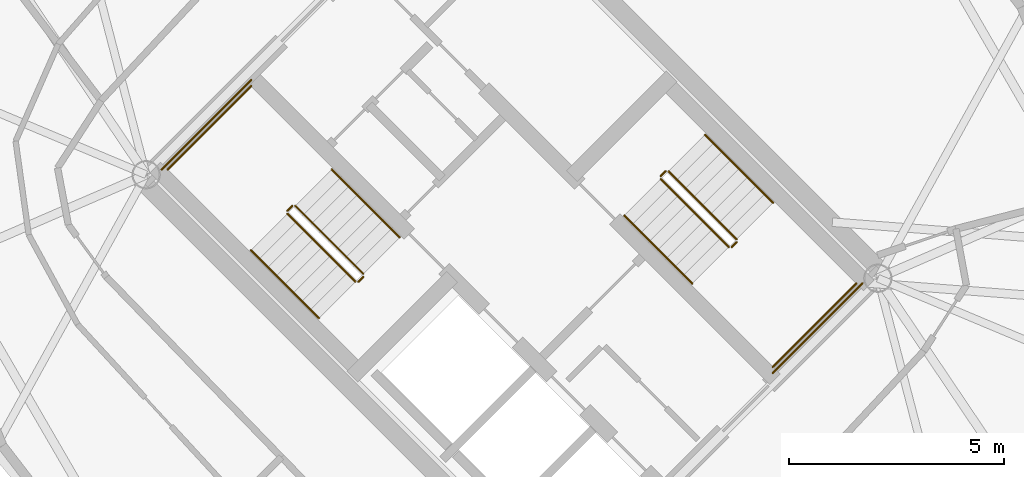
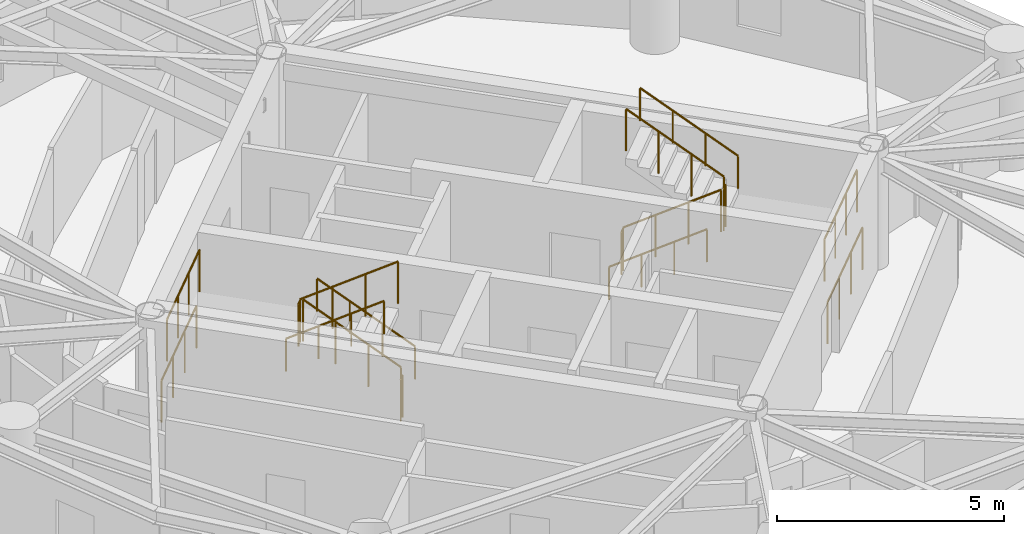
# One storey, part 16 of 17: 16 railings.
"""IFC4 building model written with IfcOpenShell, lengths in metres."""

import ifcopenshell
import ifcopenshell.guid

model = None  # the IFC model being written
_history = None  # IfcOwnerHistory: only IFC2X3 demands one
_inside = {}  # id of a spatial element -> (the spatial element, [elements in it])
_under = {}  # id of a project, library or spatial element -> (it, [spatial elements below it])
_declared = {}  # id of a project -> (the project, [libraries it declares])
_typed = {}  # id of a type object -> (the type object, [elements of that type])
_made_of = {}  # id of a material, layer set ... -> (it, [elements and type objects made of it])


def new_model(schema):
    """Start an empty IFC model of exactly this schema.

    Asked for "IFC4X3", IfcOpenShell would pick the latest addendum, in which some entities
    have other attributes; the version numbers below select the first issue.
    IFC2X3 requires an IfcOwnerHistory on every rooted entity: one is made here for all.
    """
    global model, _history
    if schema == "IFC4X3":
        model = ifcopenshell.file(schema_version=(4, 3, 0, 0))
    else:
        model = ifcopenshell.file(schema=schema)
    _inside.clear()
    _under.clear()
    _declared.clear()
    _typed.clear()
    _made_of.clear()
    _history = None
    if model.schema == "IFC2X3":
        org = make("IfcOrganization", Name="unknown")
        user = make(
            "IfcPersonAndOrganization",
            ThePerson=make("IfcPerson", FamilyName="unknown"),
            TheOrganization=org,
        )
        app = make(
            "IfcApplication",
            ApplicationDeveloper=org,
            Version="unknown",
            ApplicationFullName="unknown",
            ApplicationIdentifier="unknown",
        )
        _history = make(
            "IfcOwnerHistory",
            OwningUser=user,
            OwningApplication=app,
            ChangeAction="ADDED",
            CreationDate=0,
        )
    return model


def make(cls, **values):
    """One entity of the class cls with the attributes given. An attribute that is None is left unset."""
    return model.create_entity(
        cls, **{name: value for name, value in values.items() if value is not None}
    )


def rooted(cls, **values):
    """An entity with a GlobalId (a new one), such as an element, a storey or a relation."""
    return make(cls, GlobalId=ifcopenshell.guid.new(), OwnerHistory=_history, **values)


def si_unit(unit_type, name, prefix=None):
    """IfcSIUnit, for example si_unit("LENGTHUNIT", "METRE", prefix="MILLI")."""
    return make("IfcSIUnit", UnitType=unit_type, Prefix=prefix, Name=name)


def assignment(units):
    """IfcUnitAssignment: the units of a project."""
    return None if units is None else make("IfcUnitAssignment", Units=units)


def point(xyz):
    """IfcCartesianPoint."""
    return None if xyz is None else make("IfcCartesianPoint", Coordinates=xyz)


def direction(xyz):
    """IfcDirection."""
    return None if xyz is None else make("IfcDirection", DirectionRatios=xyz)


def frame(location, z_axis=None, x_axis=None):
    """IfcAxis2Placement3D, a coordinate frame: its origin and axes. An axis left out is left unset."""
    return make(
        "IfcAxis2Placement3D",
        Location=point(location),
        Axis=direction(z_axis),
        RefDirection=direction(x_axis),
    )


def frame_2d(location, x_axis=None):
    """IfcAxis2Placement2D, a coordinate frame in the plane: its origin and x axis."""
    return make(
        "IfcAxis2Placement2D", Location=point(location), RefDirection=direction(x_axis)
    )


def origin():
    """The frame at (0, 0, 0) with its axes left unset."""
    return frame((0.0, 0.0, 0.0))


def origin_2d():
    """The frame at (0, 0) in the plane with its x axis left unset."""
    return frame_2d((0.0, 0.0))


def place(relative_to, where):
    """IfcLocalPlacement: puts the frame where relative to a parent placement (None: the world)."""
    return make(
        "IfcLocalPlacement", PlacementRelTo=relative_to, RelativePlacement=where
    )


def context(
    kind, dimensions, precision=None, world=None, true_north=None, identifier=None
):
    """IfcGeometricRepresentationContext, for example the 3D "Model" context."""
    return make(
        "IfcGeometricRepresentationContext",
        ContextIdentifier=identifier,
        ContextType=kind,
        CoordinateSpaceDimension=dimensions,
        Precision=precision,
        WorldCoordinateSystem=world,
        TrueNorth=true_north,
    )


def subcontext(parent, identifier, kind, view, scale=None):
    """IfcGeometricRepresentationSubContext, for example "Body" below "Model"."""
    return make(
        "IfcGeometricRepresentationSubContext",
        ContextIdentifier=identifier,
        ContextType=kind,
        ParentContext=parent,
        TargetScale=scale,
        TargetView=view,
    )


def project(units=None, contexts=None):
    """IfcProject with its units and contexts."""
    return rooted(
        "IfcProject",
        Name="project",
        RepresentationContexts=contexts,
        UnitsInContext=assignment(units),
    )


def spatial(cls, under=None, at=None, **own):
    """A site, building, storey or space (cls), placed at a placement, below another one or the project."""
    s = rooted(cls, ObjectPlacement=at, **own)
    if under is not None:
        _under.setdefault(under.id(), (under, []))[1].append(s)
    return s


def profile(cls, at=None, kind="AREA", **sizes):
    """A parametric profile (cls). Its sizes go by their IFC names, for example OverallWidth=200.0."""
    return make(cls, ProfileType=kind, Position=at, **sizes)


def circle(**sizes):
    """IfcCircleProfileDef."""
    return profile("IfcCircleProfileDef", **sizes)


def extrude(swept, where, along, depth):
    """IfcExtrudedAreaSolid: the profile swept, set in the frame where, extruded along a direction by depth."""
    return make(
        "IfcExtrudedAreaSolid",
        SweptArea=swept,
        Position=where,
        ExtrudedDirection=direction(along),
        Depth=depth,
    )


def shape(context_of_items, identifier, shape_type, items):
    """IfcShapeRepresentation: the items that make up one representation, for example the "Body"."""
    return make(
        "IfcShapeRepresentation",
        ContextOfItems=context_of_items,
        RepresentationIdentifier=identifier,
        RepresentationType=shape_type,
        Items=items,
    )


def material(Name=None, Category=None):
    """IfcMaterial."""
    return make("IfcMaterial", Name=Name, Category=Category)


def made_of(thing, what):
    """Note that an element or type object is made of a material, layer set ...; save() writes the relation."""
    if what is not None:
        _made_of.setdefault(what.id(), (what, []))[1].append(thing)
    return thing


def type_object(cls, material=None, **own):
    """A type object (cls), such as IfcWallType, which elements share."""
    return made_of(rooted(cls, **own), material)


def element(
    cls,
    number,
    at=None,
    inside=None,
    cuts=None,
    type_object=None,
    material=None,
    context=None,
    identifier="Body",
    shape_type=None,
    held_by="IfcProductDefinitionShape",
    body=None,
    shapes=None,
    **own,
):
    """One element of the class cls, such as IfcWall. Its Tag is "e" and its number.

    at: its placement. inside: the storey or other place that contains it. cuts: it is an
    opening in that element (IfcRelVoidsElement). A single representation is given by context,
    identifier, shape_type and body (its items); several are given by shapes. held_by: the class
    of the entity that holds the representations. save() writes the other relations.
    """
    e = rooted(cls, Tag="e%d" % number, ObjectPlacement=at, **own)
    if body is not None:
        shapes = [shape(context, identifier, shape_type, body)]
    if shapes is not None:
        e.Representation = make(held_by, Representations=shapes)
    if inside is not None:
        _inside.setdefault(inside.id(), (inside, []))[1].append(e)
    if cuts is not None:
        rooted(
            "IfcRelVoidsElement", RelatingBuildingElement=cuts, RelatedOpeningElement=e
        )
    if type_object is not None:
        _typed.setdefault(type_object.id(), (type_object, []))[1].append(e)
    return made_of(e, material)


def aggregate(whole, parts):
    """IfcRelAggregates: a whole, such as a stair, and the parts it consists of."""
    return rooted("IfcRelAggregates", RelatingObject=whole, RelatedObjects=parts)


def save(model, path):
    """Write the relations noted so far, then the file.

    IfcRelAggregates (storeys below a building ...), IfcRelContainedInSpatialStructure (elements
    in a storey), IfcRelDefinesByType, IfcRelAssociatesMaterial and IfcRelDeclares: one each for
    every whole, place, type object, material and project.
    """
    for whole, parts in _under.values():
        aggregate(whole, parts)
    for where, things in _inside.values():
        rooted(
            "IfcRelContainedInSpatialStructure",
            RelatedElements=things,
            RelatingStructure=where,
        )
    for kind, things in _typed.values():
        rooted("IfcRelDefinesByType", RelatedObjects=things, RelatingType=kind)
    for what, things in _made_of.values():
        rooted("IfcRelAssociatesMaterial", RelatedObjects=things, RelatingMaterial=what)
    for by, libraries in _declared.values():
        rooted("IfcRelDeclares", RelatingContext=by, RelatedDefinitions=libraries)
    model.write(path)


model = new_model("IFC4")

# Units and contexts
model_context = context("Model", 3, precision=1e-05, world=origin(), true_north=direction((0.0, 1.0)))
body_context = subcontext(model_context, "Body", "Model", "MODEL_VIEW")
ifc_project = project(units=[si_unit("LENGTHUNIT", "METRE"), si_unit("AREAUNIT", "SQUARE_METRE"), si_unit("VOLUMEUNIT", "CUBIC_METRE"), si_unit("PLANEANGLEUNIT", "RADIAN"), si_unit("MASSUNIT", "GRAM", prefix="KILO")], contexts=[model_context])

# Site, building, storey
site_placement = place(None, origin())
site = spatial("IfcSite", under=ifc_project, at=site_placement, CompositionType="ELEMENT")
building_placement = place(site_placement, origin())
building = spatial("IfcBuilding", under=site, at=building_placement, Name="Cununo Teusaquillo Station Towers", CompositionType="ELEMENT")
storey_placement = place(building_placement, frame((0.0, 0.0, 222.85009765625)))
storey = spatial("IfcBuildingStorey", under=building, at=storey_placement, Name="L71", CompositionType="ELEMENT", Elevation=222.85009765625)

# Railings
ifc_material_1 = material(Name="Steel EN 10025-2 S355J2", Category="steel")
railing_type_1 = type_object("IfcRailingType", Name="RL-INT-GUARD", PredefinedType="GUARDRAIL", material=ifc_material_1)
railing_1_placement = place(storey_placement, frame((54.03515625, 23.39697265625, 0.177734375)))
element("IfcRailing", 1, at=railing_1_placement, inside=storey, type_object=railing_type_1, Name="L71 ST-T2-1 stair guard 1", PredefinedType="GUARDRAIL", context=body_context, shape_type="SweptSolid", body=[
    extrude(circle(Radius=0.02392578125, at=origin_2d()), frame((0.0, 0.0, 1.1259765625), z_axis=(-0.596941659029, 0.596941659029, 0.53602361089), x_axis=(-0.707106781187, -0.707106781187, 0.0)), (0.0, 0.0, 1.0), 2.653076171875),
    extrude(circle(Radius=0.02099609375, at=origin_2d()), origin(), (0.0, 0.0, 1.0), 1.101806640625),
    extrude(circle(Radius=0.02099609375, at=origin_2d()), frame((-0.52783203125, 0.52783203125, 0.47412109375)), (0.0, 0.0, 1.0), 1.101806640625),
    extrude(circle(Radius=0.02099609375, at=origin_2d()), frame((-1.055908203125, 1.055908203125, 0.947998046875)), (0.0, 0.0, 1.0), 1.101806640625),
    extrude(circle(Radius=0.02099609375, at=origin_2d()), frame((-1.583740234375, 1.583740234375, 1.422119140625)), (0.0, 0.0, 1.0), 1.101806640625),
])
railing_2_placement = place(storey_placement, frame((52.380615234375, 24.980712890625, 1.599853515625)))
element("IfcRailing", 2, at=railing_2_placement, inside=storey, type_object=railing_type_1, Name="L71 ST-T2-1 stair guard 2", PredefinedType="GUARDRAIL", context=body_context, shape_type="SweptSolid", body=[
    extrude(circle(Radius=0.02392578125, at=origin_2d()), frame((0.0, 0.0, 1.1259765625), z_axis=(-0.7078691598, -0.706343579714, 0.0), x_axis=(0.706343579714, -0.7078691598, 0.0)), (0.0, 0.0, 1.0), 0.159912109375),
    extrude(circle(Radius=0.02099609375, at=origin_2d()), origin(), (0.0, 0.0, 1.0), 1.101806640625),
    extrude(circle(Radius=0.02099609375, at=origin_2d()), frame((-0.11328125, -0.113037109375, 0.0)), (0.0, 0.0, 1.0), 1.101806640625),
])
railing_3_placement = place(storey_placement, frame((51.426025390625, 27.77392578125, 1.599853515625)))
element("IfcRailing", 3, at=railing_3_placement, inside=storey, type_object=railing_type_1, Name="L71 ST-T2-1 stair guard 3", PredefinedType="GUARDRAIL", context=body_context, shape_type="SweptSolid", body=[
    extrude(circle(Radius=0.02392578125, at=origin_2d()), frame((0.0, 0.0, 1.1259765625), z_axis=(-0.707106781187, -0.707106781187, 0.0), x_axis=(0.707106781187, -0.707106781187, 0.0)), (0.0, 0.0, 1.0), 2.760009765625),
    extrude(circle(Radius=0.02099609375, at=origin_2d()), origin(), (0.0, 0.0, 1.0), 1.101806640625),
    extrude(circle(Radius=0.02099609375, at=origin_2d()), frame((-0.650634765625, -0.650634765625, 0.0)), (0.0, 0.0, 1.0), 1.101806640625),
    extrude(circle(Radius=0.02099609375, at=origin_2d()), frame((-1.301025390625, -1.301025390625, 0.0)), (0.0, 0.0, 1.0), 1.101806640625),
    extrude(circle(Radius=0.02099609375, at=origin_2d()), frame((-1.95166015625, -1.95166015625, 0.0)), (0.0, 0.0, 1.0), 1.101806640625),
])
railing_4_placement = place(storey_placement, frame((52.267333984375, 24.796875, 1.777587890625)))
element("IfcRailing", 4, at=railing_4_placement, inside=storey, type_object=railing_type_1, Name="L71 ST-T2-1 stair guard 4", PredefinedType="GUARDRAIL", context=body_context, shape_type="SweptSolid", body=[
    extrude(circle(Radius=0.02392578125, at=origin_2d()), frame((0.0, 0.0, 1.1259765625), z_axis=(0.596971440079, -0.596879428451, 0.536059742586), x_axis=(0.707052281454, 0.707161276719, 0.0)), (0.0, 0.0, 1.0), 2.6533203125),
    extrude(circle(Radius=0.02099609375, at=origin_2d()), origin(), (0.0, 0.0, 1.0), 1.101806640625),
    extrude(circle(Radius=0.02099609375, at=origin_2d()), frame((0.528076171875, -0.52783203125, 0.47412109375)), (0.0, 0.0, 1.0), 1.101806640625),
    extrude(circle(Radius=0.02099609375, at=origin_2d()), frame((1.055908203125, -1.055908203125, 0.9482421875)), (0.0, 0.0, 1.0), 1.101806640625),
    extrude(circle(Radius=0.02099609375, at=origin_2d()), frame((1.583984375, -1.583740234375, 1.42236328125)), (0.0, 0.0, 1.0), 1.101806640625),
])
railing_5_placement = place(storey_placement, frame((54.03515625, 23.326171875, 0.0)))
element("IfcRailing", 5, at=railing_5_placement, inside=storey, type_object=railing_type_1, Name="L71 ST-T2-1 stair guard 5", PredefinedType="GUARDRAIL", context=body_context, shape_type="SweptSolid", body=[
    extrude(circle(Radius=0.02392578125, at=origin_2d()), frame((0.0, 0.0, 1.1259765625), z_axis=(-0.707106781187, -0.707106781187, 0.0), x_axis=(0.707106781187, -0.707106781187, 0.0)), (0.0, 0.0, 1.0), 0.159912109375),
    extrude(circle(Radius=0.02099609375, at=origin_2d()), origin(), (0.0, 0.0, 1.0), 1.101806640625),
    extrude(circle(Radius=0.02099609375, at=origin_2d()), frame((-0.113037109375, -0.113037109375, 0.0)), (0.0, 0.0, 1.0), 1.101806640625),
])
railing_6_placement = place(storey_placement, frame((51.426025390625, 27.915283203125, 0.0)))
element("IfcRailing", 6, at=railing_6_placement, inside=storey, type_object=railing_type_1, Name="L71 ST-T2-1 stair guard 6", PredefinedType="GUARDRAIL", context=body_context, shape_type="SweptSolid", body=[
    extrude(circle(Radius=0.02392578125, at=origin_2d()), frame((0.0, 0.0, 1.1259765625), z_axis=(-0.707106781187, -0.707106781187, 0.0), x_axis=(0.707106781187, -0.707106781187, 0.0)), (0.0, 0.0, 1.0), 2.9599609375),
    extrude(circle(Radius=0.02099609375, at=origin_2d()), origin(), (0.0, 0.0, 1.0), 1.101806640625),
    extrude(circle(Radius=0.02099609375, at=origin_2d()), frame((-0.69775390625, -0.69775390625, 0.0)), (0.0, 0.0, 1.0), 1.101806640625),
    extrude(circle(Radius=0.02099609375, at=origin_2d()), frame((-1.395263671875, -1.395263671875, 0.0)), (0.0, 0.0, 1.0), 1.101806640625),
    extrude(circle(Radius=0.02099609375, at=origin_2d()), frame((-2.093017578125, -2.093017578125, 0.0)), (0.0, 0.0, 1.0), 1.101806640625),
])
railing_7_placement = place(storey_placement, frame((60.96484375, 25.60302734375, 0.177734375)))
element("IfcRailing", 7, at=railing_7_placement, inside=storey, type_object=railing_type_1, Name="L71 ST-T2-2 stair guard 1", PredefinedType="GUARDRAIL", context=body_context, shape_type="SweptSolid", body=[
    extrude(circle(Radius=0.02392578125, at=origin_2d()), frame((0.0, 0.0, 1.1259765625), z_axis=(0.596941659029, -0.596941659029, 0.53602361089), x_axis=(0.707106781187, 0.707106781187, 0.0)), (0.0, 0.0, 1.0), 2.653076171875),
    extrude(circle(Radius=0.02099609375, at=origin_2d()), origin(), (0.0, 0.0, 1.0), 1.101806640625),
    extrude(circle(Radius=0.02099609375, at=origin_2d()), frame((0.52783203125, -0.52783203125, 0.47412109375)), (0.0, 0.0, 1.0), 1.101806640625),
    extrude(circle(Radius=0.02099609375, at=origin_2d()), frame((1.055908203125, -1.055908203125, 0.947998046875)), (0.0, 0.0, 1.0), 1.101806640625),
    extrude(circle(Radius=0.02099609375, at=origin_2d()), frame((1.583740234375, -1.583740234375, 1.422119140625)), (0.0, 0.0, 1.0), 1.101806640625),
])
railing_8_placement = place(storey_placement, frame((62.619384765625, 24.019287109375, 1.599853515625)))
element("IfcRailing", 8, at=railing_8_placement, inside=storey, type_object=railing_type_1, Name="L71 ST-T2-2 stair guard 2", PredefinedType="GUARDRAIL", context=body_context, shape_type="SweptSolid", body=[
    extrude(circle(Radius=0.02392578125, at=origin_2d()), frame((0.0, 0.0, 1.1259765625), z_axis=(0.7078691598, 0.706343579714, 0.0), x_axis=(-0.706343579714, 0.7078691598, 0.0)), (0.0, 0.0, 1.0), 0.159912109375),
    extrude(circle(Radius=0.02099609375, at=origin_2d()), origin(), (0.0, 0.0, 1.0), 1.101806640625),
    extrude(circle(Radius=0.02099609375, at=origin_2d()), frame((0.11328125, 0.113037109375, 0.0)), (0.0, 0.0, 1.0), 1.101806640625),
])
railing_9_placement = place(storey_placement, frame((63.573974609375, 21.22607421875, 1.599853515625)))
element("IfcRailing", 9, at=railing_9_placement, inside=storey, type_object=railing_type_1, Name="L71 ST-T2-2 stair guard 3", PredefinedType="GUARDRAIL", context=body_context, shape_type="SweptSolid", body=[
    extrude(circle(Radius=0.02392578125, at=origin_2d()), frame((0.0, 0.0, 1.1259765625), z_axis=(0.707106781187, 0.707106781187, 0.0), x_axis=(-0.707106781187, 0.707106781187, 0.0)), (0.0, 0.0, 1.0), 2.760009765625),
    extrude(circle(Radius=0.02099609375, at=origin_2d()), origin(), (0.0, 0.0, 1.0), 1.101806640625),
    extrude(circle(Radius=0.02099609375, at=origin_2d()), frame((0.650634765625, 0.650634765625, 0.0)), (0.0, 0.0, 1.0), 1.101806640625),
    extrude(circle(Radius=0.02099609375, at=origin_2d()), frame((1.301025390625, 1.301025390625, 0.0)), (0.0, 0.0, 1.0), 1.101806640625),
    extrude(circle(Radius=0.02099609375, at=origin_2d()), frame((1.95166015625, 1.95166015625, 0.0)), (0.0, 0.0, 1.0), 1.101806640625),
])
railing_10_placement = place(storey_placement, frame((62.732666015625, 24.203125, 1.777587890625)))
element("IfcRailing", 10, at=railing_10_placement, inside=storey, type_object=railing_type_1, Name="L71 ST-T2-2 stair guard 4", PredefinedType="GUARDRAIL", context=body_context, shape_type="SweptSolid", body=[
    extrude(circle(Radius=0.02392578125, at=origin_2d()), frame((0.0, 0.0, 1.1259765625), z_axis=(-0.596971440079, 0.596879428451, 0.536059742586), x_axis=(-0.707052281454, -0.707161276719, 0.0)), (0.0, 0.0, 1.0), 2.6533203125),
    extrude(circle(Radius=0.02099609375, at=origin_2d()), origin(), (0.0, 0.0, 1.0), 1.101806640625),
    extrude(circle(Radius=0.02099609375, at=origin_2d()), frame((-0.528076171875, 0.52783203125, 0.47412109375)), (0.0, 0.0, 1.0), 1.101806640625),
    extrude(circle(Radius=0.02099609375, at=origin_2d()), frame((-1.055908203125, 1.055908203125, 0.9482421875)), (0.0, 0.0, 1.0), 1.101806640625),
    extrude(circle(Radius=0.02099609375, at=origin_2d()), frame((-1.583984375, 1.583740234375, 1.42236328125)), (0.0, 0.0, 1.0), 1.101806640625),
])
railing_11_placement = place(storey_placement, frame((60.96484375, 25.673828125, 0.0)))
element("IfcRailing", 11, at=railing_11_placement, inside=storey, type_object=railing_type_1, Name="L71 ST-T2-2 stair guard 5", PredefinedType="GUARDRAIL", context=body_context, shape_type="SweptSolid", body=[
    extrude(circle(Radius=0.02392578125, at=origin_2d()), frame((0.0, 0.0, 1.1259765625), z_axis=(0.707106781187, 0.707106781187, 0.0), x_axis=(-0.707106781187, 0.707106781187, 0.0)), (0.0, 0.0, 1.0), 0.159912109375),
    extrude(circle(Radius=0.02099609375, at=origin_2d()), origin(), (0.0, 0.0, 1.0), 1.101806640625),
    extrude(circle(Radius=0.02099609375, at=origin_2d()), frame((0.113037109375, 0.113037109375, 0.0)), (0.0, 0.0, 1.0), 1.101806640625),
])
railing_12_placement = place(storey_placement, frame((63.573974609375, 21.084716796875, 0.0)))
element("IfcRailing", 12, at=railing_12_placement, inside=storey, type_object=railing_type_1, Name="L71 ST-T2-2 stair guard 6", PredefinedType="GUARDRAIL", context=body_context, shape_type="SweptSolid", body=[
    extrude(circle(Radius=0.02392578125, at=origin_2d()), frame((0.0, 0.0, 1.1259765625), z_axis=(0.707106781187, 0.707106781187, 0.0), x_axis=(-0.707106781187, 0.707106781187, 0.0)), (0.0, 0.0, 1.0), 2.9599609375),
    extrude(circle(Radius=0.02099609375, at=origin_2d()), origin(), (0.0, 0.0, 1.0), 1.101806640625),
    extrude(circle(Radius=0.02099609375, at=origin_2d()), frame((0.69775390625, 0.69775390625, 0.0)), (0.0, 0.0, 1.0), 1.101806640625),
    extrude(circle(Radius=0.02099609375, at=origin_2d()), frame((1.395263671875, 1.395263671875, 0.0)), (0.0, 0.0, 1.0), 1.101806640625),
    extrude(circle(Radius=0.02099609375, at=origin_2d()), frame((2.093017578125, 2.093017578125, 0.0)), (0.0, 0.0, 1.0), 1.101806640625),
])
ifc_material_2 = material(Name="Steel EN 10025-2 S355J2", Category="steel")
railing_type_2 = type_object("IfcRailingType", Name="RL-INT-HRAIL", PredefinedType="HANDRAIL", material=ifc_material_2)
railing_13_placement = place(storey_placement, frame((54.8837890625, 24.245361328125, 0.177734375)))
element("IfcRailing", 13, at=railing_13_placement, inside=storey, type_object=railing_type_2, Name="L71 ST-T2-1 stair handrail 1", PredefinedType="HANDRAIL", context=body_context, shape_type="SweptSolid", body=[
    extrude(circle(Radius=0.02392578125, at=origin_2d()), frame((0.0, 0.0, 0.8759765625), z_axis=(-0.59696809433, 0.59696809433, 0.535964727108), x_axis=(-0.707106781187, -0.707106781187, 0.0)), (0.0, 0.0, 1.0), 2.6533203125),
    extrude(circle(Radius=0.02099609375, at=origin_2d()), origin(), (0.0, 0.0, 1.0), 0.851806640625),
    extrude(circle(Radius=0.02099609375, at=origin_2d()), frame((-0.528076171875, 0.528076171875, 0.47412109375)), (0.0, 0.0, 1.0), 0.851806640625),
    extrude(circle(Radius=0.02099609375, at=origin_2d()), frame((-1.055908203125, 1.055908203125, 0.947998046875)), (0.0, 0.0, 1.0), 0.851806640625),
    extrude(circle(Radius=0.02099609375, at=origin_2d()), frame((-1.583984375, 1.583984375, 1.422119140625)), (0.0, 0.0, 1.0), 0.851806640625),
])
railing_14_placement = place(storey_placement, frame((51.4189453125, 23.948486328125, 1.777587890625)))
element("IfcRailing", 14, at=railing_14_placement, inside=storey, type_object=railing_type_2, Name="L71 ST-T2-1 stair handrail 2", PredefinedType="HANDRAIL", context=body_context, shape_type="SweptSolid", body=[
    extrude(circle(Radius=0.02392578125, at=origin_2d()), frame((0.0, 0.0, 0.8759765625), z_axis=(0.596938654672, -0.596938654672, 0.536030302423), x_axis=(0.707106781187, 0.707106781187, 0.0)), (0.0, 0.0, 1.0), 2.653564453125),
    extrude(circle(Radius=0.02099609375, at=origin_2d()), origin(), (0.0, 0.0, 1.0), 0.851806640625),
    extrude(circle(Radius=0.02099609375, at=origin_2d()), frame((0.528076171875, -0.528076171875, 0.47412109375)), (0.0, 0.0, 1.0), 0.851806640625),
    extrude(circle(Radius=0.02099609375, at=origin_2d()), frame((1.055908203125, -1.055908203125, 0.9482421875)), (0.0, 0.0, 1.0), 0.851806640625),
    extrude(circle(Radius=0.02099609375, at=origin_2d()), frame((1.583984375, -1.583984375, 1.42236328125)), (0.0, 0.0, 1.0), 0.851806640625),
])
railing_15_placement = place(storey_placement, frame((60.1162109375, 24.754638671875, 0.177734375)))
element("IfcRailing", 15, at=railing_15_placement, inside=storey, type_object=railing_type_2, Name="L71 ST-T2-2 stair handrail 1", PredefinedType="HANDRAIL", context=body_context, shape_type="SweptSolid", body=[
    extrude(circle(Radius=0.02392578125, at=origin_2d()), frame((0.0, 0.0, 0.8759765625), z_axis=(0.59696809433, -0.59696809433, 0.535964727108), x_axis=(0.707106781187, 0.707106781187, 0.0)), (0.0, 0.0, 1.0), 2.6533203125),
    extrude(circle(Radius=0.02099609375, at=origin_2d()), origin(), (0.0, 0.0, 1.0), 0.851806640625),
    extrude(circle(Radius=0.02099609375, at=origin_2d()), frame((0.528076171875, -0.528076171875, 0.47412109375)), (0.0, 0.0, 1.0), 0.851806640625),
    extrude(circle(Radius=0.02099609375, at=origin_2d()), frame((1.055908203125, -1.055908203125, 0.947998046875)), (0.0, 0.0, 1.0), 0.851806640625),
    extrude(circle(Radius=0.02099609375, at=origin_2d()), frame((1.583984375, -1.583984375, 1.422119140625)), (0.0, 0.0, 1.0), 0.851806640625),
])
railing_16_placement = place(storey_placement, frame((63.5810546875, 25.051513671875, 1.777587890625)))
element("IfcRailing", 16, at=railing_16_placement, inside=storey, type_object=railing_type_2, Name="L71 ST-T2-2 stair handrail 2", PredefinedType="HANDRAIL", context=body_context, shape_type="SweptSolid", body=[
    extrude(circle(Radius=0.02392578125, at=origin_2d()), frame((0.0, 0.0, 0.8759765625), z_axis=(-0.596938654672, 0.596938654672, 0.536030302423), x_axis=(-0.707106781187, -0.707106781187, 0.0)), (0.0, 0.0, 1.0), 2.653564453125),
    extrude(circle(Radius=0.02099609375, at=origin_2d()), origin(), (0.0, 0.0, 1.0), 0.851806640625),
    extrude(circle(Radius=0.02099609375, at=origin_2d()), frame((-0.528076171875, 0.528076171875, 0.47412109375)), (0.0, 0.0, 1.0), 0.851806640625),
    extrude(circle(Radius=0.02099609375, at=origin_2d()), frame((-1.055908203125, 1.055908203125, 0.9482421875)), (0.0, 0.0, 1.0), 0.851806640625),
    extrude(circle(Radius=0.02099609375, at=origin_2d()), frame((-1.583984375, 1.583984375, 1.42236328125)), (0.0, 0.0, 1.0), 0.851806640625),
])

save(model, "model.ifc")
